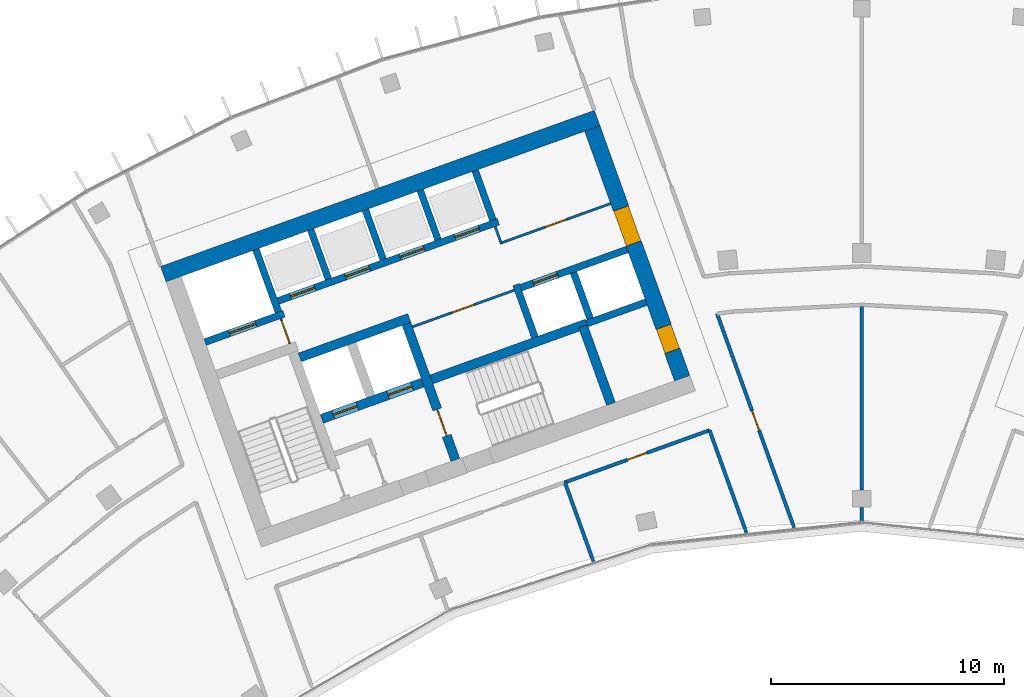
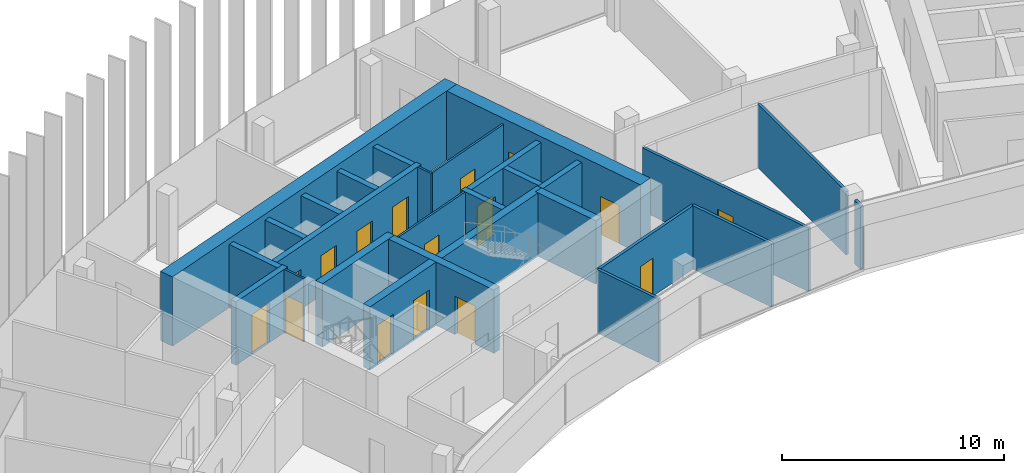
# One storey, part 14 of 19: 27 walls, 16 doors, 16 openings.
"""IFC4 building model written with IfcOpenShell, lengths in metres."""

from ifc_helpers import new_model, si_unit, direction, frame, frame_2d, origin, place, context, subcontext, project, spatial, rectangle, extrude, material, layer, layer_set, type_object, element, fill, save


model = new_model("IFC4")

# Units and contexts
model_context = context("Model", 3, precision=1e-05, world=origin(), true_north=direction((0.0, 1.0)))
body_context = subcontext(model_context, "Body", "Model", "MODEL_VIEW")
ifc_project = project(units=[si_unit("LENGTHUNIT", "METRE"), si_unit("AREAUNIT", "SQUARE_METRE"), si_unit("VOLUMEUNIT", "CUBIC_METRE"), si_unit("PLANEANGLEUNIT", "RADIAN"), si_unit("MASSUNIT", "GRAM", prefix="KILO")], contexts=[model_context])

# Site, building, storey
site_placement = place(None, origin())
site = spatial("IfcSite", under=ifc_project, at=site_placement, CompositionType="ELEMENT")
building_placement = place(site_placement, origin())
building = spatial("IfcBuilding", under=site, at=building_placement, Name="Stone Belt Terrace Tower", CompositionType="ELEMENT")
storey_placement = place(building_placement, frame((0.0, 0.0, 258.0)))
storey = spatial("IfcBuildingStorey", under=building, at=storey_placement, Name="L62", CompositionType="ELEMENT", Elevation=258.0)

# Wall, opening, door
ifc_material_1 = material(Name="Plasterboard partition")
ifc_layer_1 = layer(ifc_material_1, 0.10009765625)
ifc_layer_set_1 = layer_set([ifc_layer_1], Name="Core partition 100")
wall_type_1 = type_object("IfcWallType", Name="Core partition 100", PredefinedType="PARTITIONING", material=ifc_layer_set_1)
wall_1_placement = place(storey_placement, frame((-24.555908203125, 51.10400390625, 0.0), z_axis=(0.0, 0.0, 1.0), x_axis=(-0.338621735342, 0.94092258999, 0.0)))
wall_1 = element("IfcWall", 1, at=wall_1_placement, inside=storey, type_object=wall_type_1, Name="Core A wall", PredefinedType="PARTITIONING", context=body_context, shape_type="SweptSolid", body=[
    extrude(rectangle(XDim=1.14990234375, YDim=0.10009765625, at=frame_2d((0.574951171875, 0.0))), origin(), (0.0, 0.0, 1.0), 3.47998046875),
])
opening_1_placement = place(wall_1_placement, frame((0.050048828125, 0.0, 0.0)))
opening_1 = element("IfcOpeningElement", 2, at=opening_1_placement, cuts=wall_1, Name="Opening L62-C03", PredefinedType="OPENING", context=body_context, shape_type="SweptSolid", body=[
    extrude(rectangle(XDim=1.0, YDim=2.10009765625, at=frame_2d((0.5, 1.050048828125))), frame((0.0, 0.06005859375, 0.0), z_axis=(0.0, -1.0, 0.0), x_axis=(1.0, 0.0, 0.0)), (0.0, 0.0, 1.0), 0.1201171875),
])
ifc_material_2 = material(Name="Timber door leaf", Category="wood")
door_type_1 = type_object("IfcDoorType", Name="Core room door 1000", OperationType="SINGLE_SWING_LEFT", PredefinedType="DOOR", material=ifc_material_2)
door_1_placement = place(opening_1_placement, origin())
door_1 = element("IfcDoor", 3, at=door_1_placement, inside=storey, type_object=door_type_1, Name="Service lift lobby door core A", OperationType="SINGLE_SWING_LEFT", OverallHeight=2.10009765625, OverallWidth=1.0, PredefinedType="DOOR", context=body_context, shape_type="SweptSolid", body=[
    extrude(rectangle(XDim=1.0, YDim=2.10009765625, at=frame_2d((0.5, 1.050048828125))), frame((0.0, 0.02490234375, 0.0), z_axis=(0.0, -1.0, 0.0), x_axis=(1.0, 0.0, 0.0)), (0.0, 0.0, 1.0), 0.050048828125),
])
fill(opening_1, door_1)

wall_2_placement = place(storey_placement, frame((-19.29052734375, 51.829833984375, 0.0), z_axis=(0.0, 0.0, 1.0), x_axis=(0.940930240745, 0.338600475563, 0.0)))
wall_2 = element("IfcWall", 4, at=wall_2_placement, inside=storey, type_object=wall_type_1, Name="Core A wall", PredefinedType="PARTITIONING", context=body_context, shape_type="SweptSolid", body=[
    extrude(rectangle(XDim=4.64990234375, YDim=0.10009765625, at=frame_2d((2.324951171875, 0.0))), origin(), (0.0, 0.0, 1.0), 3.47998046875),
])
opening_2_placement = place(wall_2_placement, frame((1.800048828125, 0.0, 0.0)))
opening_2 = element("IfcOpeningElement", 5, at=opening_2_placement, cuts=wall_2, Name="Opening L62-C02", PredefinedType="OPENING", context=body_context, shape_type="SweptSolid", body=[
    extrude(rectangle(XDim=1.0, YDim=2.10009765625, at=frame_2d((0.5, 1.050048828125))), frame((0.0, 0.06005859375, 0.0), z_axis=(0.0, -1.0, 0.0), x_axis=(1.0, 0.0, 0.0)), (0.0, 0.0, 1.0), 0.1201171875),
])
door_2_placement = place(opening_2_placement, origin())
door_2 = element("IfcDoor", 6, at=door_2_placement, inside=storey, type_object=door_type_1, Name="Door to Pantry core A", OperationType="SINGLE_SWING_LEFT", OverallHeight=2.10009765625, OverallWidth=1.0, PredefinedType="DOOR", context=body_context, shape_type="SweptSolid", body=[
    extrude(rectangle(XDim=1.0, YDim=2.10009765625, at=frame_2d((0.5, 1.050048828125))), frame((0.0, 0.02490234375, 0.0), z_axis=(0.0, -1.0, 0.0), x_axis=(1.0, 0.0, 0.0)), (0.0, 0.0, 1.0), 0.050048828125),
])
fill(opening_2, door_2)

# Wall
wall_3_placement = place(storey_placement, frame((-15.46826171875, 55.384033203125, 0.0), z_axis=(0.0, 0.0, 1.0), x_axis=(-0.338481684961, 0.940972979923, 0.0)))
element("IfcWall", 7, at=wall_3_placement, inside=storey, type_object=wall_type_1, Name="Core A wall", PredefinedType="PARTITIONING", context=body_context, shape_type="SweptSolid", body=[
    extrude(rectangle(XDim=0.7998046875, YDim=0.10009765625, at=frame_2d((0.39990234375, 0.0))), origin(), (0.0, 0.0, 1.0), 3.47998046875),
])

# Wall, opening, door
wall_4_placement = place(storey_placement, frame((-15.43798828125, 55.447998046875, 0.0), z_axis=(0.0, 0.0, 1.0), x_axis=(0.940914445113, 0.338644366522, 0.0)))
wall_4 = element("IfcWall", 8, at=wall_4_placement, inside=storey, type_object=wall_type_1, Name="Core A wall", PredefinedType="PARTITIONING", context=body_context, shape_type="SweptSolid", body=[
    extrude(rectangle(XDim=4.949951171875, YDim=0.10009765625, at=frame_2d((2.47509765625, 0.0))), origin(), (0.0, 0.0, 1.0), 3.47998046875),
])
opening_3_placement = place(wall_4_placement, frame((1.949951171875, 0.0, 0.0)))
opening_3 = element("IfcOpeningElement", 9, at=opening_3_placement, cuts=wall_4, Name="Opening L62-C01", PredefinedType="OPENING", context=body_context, shape_type="SweptSolid", body=[
    extrude(rectangle(XDim=1.0, YDim=2.10009765625, at=frame_2d((0.5, 1.050048828125))), frame((0.0, 0.06005859375, 0.0), z_axis=(0.0, -1.0, 0.0), x_axis=(1.0, 0.0, 0.0)), (0.0, 0.0, 1.0), 0.1201171875),
])
door_3_placement = place(opening_3_placement, origin())
door_3 = element("IfcDoor", 10, at=door_3_placement, inside=storey, type_object=door_type_1, Name="Door to Print and copy room core A", OperationType="SINGLE_SWING_LEFT", OverallHeight=2.10009765625, OverallWidth=1.0, PredefinedType="DOOR", context=body_context, shape_type="SweptSolid", body=[
    extrude(rectangle(XDim=1.0, YDim=2.10009765625, at=frame_2d((0.5, 1.050048828125))), frame((0.0, 0.02490234375, 0.0), z_axis=(0.0, -1.0, 0.0), x_axis=(1.0, 0.0, 0.0)), (0.0, 0.0, 1.0), 0.050048828125),
])
fill(opening_3, door_3)

# Wall
ifc_material_3 = material(Name="Concrete B60", Category="concrete")
ifc_layer_2 = layer(ifc_material_3, 0.699951171875)
ifc_layer_set_2 = layer_set([ifc_layer_2], Name="Core wall 700 B60")
wall_type_2 = type_object("IfcWallType", Name="Core wall 700 B60", PredefinedType="SHEAR", material=ifc_layer_set_2)
wall_5_placement = place(storey_placement, frame((-29.988037109375, 54.0908203125, 0.0), z_axis=(0.0, 0.0, 1.0), x_axis=(0.940919787944, 0.33862952124, 0.0)))
element("IfcWall", 11, at=wall_5_placement, inside=storey, type_object=wall_type_2, Name="Core A wall convex L62", PredefinedType="SHEAR", context=body_context, shape_type="SweptSolid", body=[
    extrude(rectangle(XDim=19.7998046875, YDim=0.699951171875, at=frame_2d((9.89990234375, 0.0))), origin(), (0.0, 0.0, 1.0), 3.800048828125),
])

# Wall, openings, doors
wall_6_placement = place(storey_placement, frame((-7.70849609375, 49.621337890625, 0.0), z_axis=(0.0, 0.0, 1.0), x_axis=(-0.338606471282, 0.940928083121, 0.0)))
wall_6 = element("IfcWall", 12, at=wall_6_placement, inside=storey, type_object=wall_type_2, Name="Core A wall end_b L62", PredefinedType="SHEAR", context=body_context, shape_type="SweptSolid", body=[
    extrude(rectangle(XDim=11.39990234375, YDim=0.699951171875, at=frame_2d((5.699951171875, 0.0))), origin(), (0.0, 0.0, 1.0), 3.800048828125),
])
opening_4_placement = place(wall_6_placement, frame((6.14990234375, 0.0, 0.0)))
opening_4 = element("IfcOpeningElement", 13, at=opening_4_placement, cuts=wall_6, Name="Opening L62-C04", PredefinedType="OPENING", context=body_context, shape_type="SweptSolid", body=[
    extrude(rectangle(XDim=1.60009765625, YDim=2.10009765625, at=frame_2d((0.800048828125, 1.050048828125))), frame((0.0, 0.35986328125, 0.0), z_axis=(0.0, -1.0, 0.0), x_axis=(1.0, 0.0, 0.0)), (0.0, 0.0, 1.0), 0.719970703125),
])
opening_5_placement = place(wall_6_placement, frame((1.25, 0.0, 0.0)))
opening_5 = element("IfcOpeningElement", 14, at=opening_5_placement, cuts=wall_6, Name="Opening L62-C10", PredefinedType="OPENING", context=body_context, shape_type="SweptSolid", body=[
    extrude(rectangle(XDim=1.10009765625, YDim=2.10009765625, at=frame_2d((0.550048828125, 1.050048828125))), frame((0.0, 0.35986328125, 0.0), z_axis=(0.0, -1.0, 0.0), x_axis=(1.0, 0.0, 0.0)), (0.0, 0.0, 1.0), 0.719970703125),
])
door_type_2 = type_object("IfcDoorType", Name="Core room door 1100", OperationType="SINGLE_SWING_LEFT", PredefinedType="DOOR", material=ifc_material_2)
door_4_placement = place(opening_5_placement, origin())
door_4 = element("IfcDoor", 15, at=door_4_placement, inside=storey, type_object=door_type_2, Name="Door to Electrical riser room core A", OperationType="SINGLE_SWING_LEFT", OverallHeight=2.10009765625, OverallWidth=1.10009765625, PredefinedType="DOOR", context=body_context, shape_type="SweptSolid", body=[
    extrude(rectangle(XDim=1.10009765625, YDim=2.10009765625, at=frame_2d((0.550048828125, 1.050048828125))), frame((0.0, 0.330078125, 0.0), z_axis=(0.0, -1.0, 0.0), x_axis=(1.0, 0.0, 0.0)), (0.0, 0.0, 1.0), 0.659912109375),
])
fill(opening_5, door_4)
ifc_material_4 = material(Name="Glazed aluminium door leaf", Category="aluminium")
door_type_3 = type_object("IfcDoorType", Name="Lift lobby entrance door 1600", OperationType="DOUBLE_DOOR_SINGLE_SWING", PredefinedType="DOOR", material=ifc_material_4)
door_5_placement = place(opening_4_placement, origin())
door_5 = element("IfcDoor", 16, at=door_5_placement, inside=storey, type_object=door_type_3, Name="Lift lobby entrance door core A", OperationType="DOUBLE_DOOR_SINGLE_SWING", OverallHeight=2.10009765625, OverallWidth=1.60009765625, PredefinedType="DOOR", context=body_context, shape_type="SweptSolid", body=[
    extrude(rectangle(XDim=1.60009765625, YDim=2.10009765625, at=frame_2d((0.800048828125, 1.050048828125))), frame((0.0, 0.330078125, 0.0), z_axis=(0.0, -1.0, 0.0), x_axis=(1.0, 0.0, 0.0)), (0.0, 0.0, 1.0), 0.659912109375),
])
fill(opening_4, door_5)

# Wall
ifc_material_5 = material(Name="Concrete B80", Category="concrete")
ifc_layer_3 = layer(ifc_material_5, 0.39990234375)
ifc_layer_set_3 = layer_set([ifc_layer_3], Name="Fire-fighting lift shaft wall 400")
wall_type_3 = type_object("IfcWallType", Name="Fire-fighting lift shaft wall 400", PredefinedType="SHEAR", material=ifc_layer_set_3)
wall_7_placement = place(storey_placement, frame((-24.130615234375, 50.512939453125, 0.0), z_axis=(0.0, 0.0, 1.0), x_axis=(0.94091168377, 0.338652038744, 0.0)))
element("IfcWall", 17, at=wall_7_placement, inside=storey, type_object=wall_type_3, Name="Core A wall", PredefinedType="SHEAR", context=body_context, shape_type="SweptSolid", body=[
    extrude(rectangle(XDim=5.000244140625, YDim=0.39990234375, at=frame_2d((2.5, 0.0))), origin(), (0.0, 0.0, 1.0), 3.47998046875),
])

# Wall, opening, door
ifc_layer_4 = layer(ifc_material_5, 0.300048828125)
ifc_layer_set_4 = layer_set([ifc_layer_4], Name="Lift shaft wall 300")
wall_type_4 = type_object("IfcWallType", Name="Lift shaft wall 300", PredefinedType="SHEAR", material=ifc_layer_set_4)
wall_8_placement = place(storey_placement, frame((-28.195068359375, 51.17578125, 0.0), z_axis=(0.0, 0.0, 1.0), x_axis=(0.940901243567, 0.338681044427, 0.0)))
wall_8 = element("IfcWall", 18, at=wall_8_placement, inside=storey, type_object=wall_type_4, Name="Core A wall", PredefinedType="SHEAR", context=body_context, shape_type="SweptSolid", body=[
    extrude(rectangle(XDim=3.599853515625, YDim=0.300048828125, at=frame_2d((1.7998046875, 0.0))), origin(), (0.0, 0.0, 1.0), 3.47998046875),
])
opening_6_placement = place(wall_8_placement, frame((1.1201171875, 0.0, 0.0)))
opening_6 = element("IfcOpeningElement", 19, at=opening_6_placement, cuts=wall_8, Name="Opening L62-LD08", PredefinedType="OPENING", context=body_context, shape_type="SweptSolid", body=[
    extrude(rectangle(XDim=1.199951171875, YDim=2.199951171875, at=frame_2d((0.60009765625, 1.10009765625))), frame((0.0, 0.159912109375, 0.0), z_axis=(0.0, -1.0, 0.0), x_axis=(1.0, 0.0, 0.0)), (0.0, 0.0, 1.0), 0.320068359375),
])
ifc_material_6 = material(Name="Stainless steel door leaf", Category="steel")
door_type_4 = type_object("IfcDoorType", Name="Landing door 1200", OperationType="SLIDING_TO_LEFT", PredefinedType="DOOR", material=ifc_material_6)
door_6_placement = place(opening_6_placement, origin())
door_6 = element("IfcDoor", 20, at=door_6_placement, inside=storey, type_object=door_type_4, Name="Landing door SV1 core A", OperationType="SLIDING_TO_LEFT", OverallHeight=2.199951171875, OverallWidth=1.199951171875, PredefinedType="DOOR", context=body_context, shape_type="SweptSolid", body=[
    extrude(rectangle(XDim=1.199951171875, YDim=2.199951171875, at=frame_2d((0.60009765625, 1.10009765625))), frame((0.0, 0.02490234375, 0.0), z_axis=(0.0, -1.0, 0.0), x_axis=(1.0, 0.0, 0.0)), (0.0, 0.0, 1.0), 0.050048828125),
])
fill(opening_6, door_6)

# Wall
wall_9_placement = place(storey_placement, frame((-25.046875, 52.46826171875, 0.0), z_axis=(0.0, 0.0, 1.0), x_axis=(-0.338549588058, 0.940948551423, 0.0)))
element("IfcWall", 21, at=wall_9_placement, inside=storey, type_object=wall_type_4, Name="Core A wall", PredefinedType="SHEAR", context=body_context, shape_type="SweptSolid", body=[
    extrude(rectangle(XDim=2.849853515625, YDim=0.300048828125, at=frame_2d((1.4248046875, 0.0))), origin(), (0.0, 0.0, 1.0), 3.47998046875),
])

# Wall, openings, doors
wall_10_placement = place(storey_placement, frame((-25.05810546875, 52.9423828125, 0.0), z_axis=(0.0, 0.0, 1.0), x_axis=(0.940917446785, 0.338636026339, 0.0)))
wall_10 = element("IfcWall", 22, at=wall_10_placement, inside=storey, type_object=wall_type_4, Name="Core A wall", PredefinedType="SHEAR", context=body_context, shape_type="SweptSolid", body=[
    extrude(rectangle(XDim=10.050048828125, YDim=0.300048828125, at=frame_2d((5.02490234375, 0.0))), origin(), (0.0, 0.0, 1.0), 3.47998046875),
])
opening_7_placement = place(wall_10_placement, frame((0.570068359375, 0.0, 0.0)))
opening_7 = element("IfcOpeningElement", 23, at=opening_7_placement, cuts=wall_10, Name="Opening L62-LD01", PredefinedType="OPENING", context=body_context, shape_type="SweptSolid", body=[
    extrude(rectangle(XDim=1.10009765625, YDim=2.199951171875, at=frame_2d((0.550048828125, 1.10009765625))), frame((0.0, 0.159912109375, 0.0), z_axis=(0.0, -1.0, 0.0), x_axis=(1.0, 0.0, 0.0)), (0.0, 0.0, 1.0), 0.320068359375),
])
opening_8_placement = place(wall_10_placement, frame((3.070068359375, 0.0, 0.0)))
opening_8 = element("IfcOpeningElement", 24, at=opening_8_placement, cuts=wall_10, Name="Opening L62-LD02", PredefinedType="OPENING", context=body_context, shape_type="SweptSolid", body=[
    extrude(rectangle(XDim=1.10009765625, YDim=2.199951171875, at=frame_2d((0.550048828125, 1.10009765625))), frame((0.0, 0.159912109375, 0.0), z_axis=(0.0, -1.0, 0.0), x_axis=(1.0, 0.0, 0.0)), (0.0, 0.0, 1.0), 0.320068359375),
])
opening_9_placement = place(wall_10_placement, frame((5.570068359375, 0.0, 0.0)))
opening_9 = element("IfcOpeningElement", 25, at=opening_9_placement, cuts=wall_10, Name="Opening L62-LD03", PredefinedType="OPENING", context=body_context, shape_type="SweptSolid", body=[
    extrude(rectangle(XDim=1.10009765625, YDim=2.199951171875, at=frame_2d((0.550048828125, 1.10009765625))), frame((0.0, 0.159912109375, 0.0), z_axis=(0.0, -1.0, 0.0), x_axis=(1.0, 0.0, 0.0)), (0.0, 0.0, 1.0), 0.320068359375),
])
opening_10_placement = place(wall_10_placement, frame((8.070068359375, 0.0, 0.0)))
opening_10 = element("IfcOpeningElement", 26, at=opening_10_placement, cuts=wall_10, Name="Opening L62-LD04", PredefinedType="OPENING", context=body_context, shape_type="SweptSolid", body=[
    extrude(rectangle(XDim=1.10009765625, YDim=2.199951171875, at=frame_2d((0.550048828125, 1.10009765625))), frame((0.0, 0.159912109375, 0.0), z_axis=(0.0, -1.0, 0.0), x_axis=(1.0, 0.0, 0.0)), (0.0, 0.0, 1.0), 0.320068359375),
])
door_type_5 = type_object("IfcDoorType", Name="Landing door 1100", OperationType="SLIDING_TO_LEFT", PredefinedType="DOOR", material=ifc_material_6)
door_7_placement = place(opening_7_placement, origin())
door_7 = element("IfcDoor", 27, at=door_7_placement, inside=storey, type_object=door_type_5, Name="Landing door HR1 core A", OperationType="SLIDING_TO_LEFT", OverallHeight=2.199951171875, OverallWidth=1.10009765625, PredefinedType="DOOR", context=body_context, shape_type="SweptSolid", body=[
    extrude(rectangle(XDim=1.10009765625, YDim=2.199951171875, at=frame_2d((0.550048828125, 1.10009765625))), frame((0.0, 0.02490234375, 0.0), z_axis=(0.0, -1.0, 0.0), x_axis=(1.0, 0.0, 0.0)), (0.0, 0.0, 1.0), 0.050048828125),
])
fill(opening_7, door_7)
door_8_placement = place(opening_8_placement, origin())
door_8 = element("IfcDoor", 28, at=door_8_placement, inside=storey, type_object=door_type_5, Name="Landing door HR2 core A", OperationType="SLIDING_TO_LEFT", OverallHeight=2.199951171875, OverallWidth=1.10009765625, PredefinedType="DOOR", context=body_context, shape_type="SweptSolid", body=[
    extrude(rectangle(XDim=1.10009765625, YDim=2.199951171875, at=frame_2d((0.550048828125, 1.10009765625))), frame((0.0, 0.02490234375, 0.0), z_axis=(0.0, -1.0, 0.0), x_axis=(1.0, 0.0, 0.0)), (0.0, 0.0, 1.0), 0.050048828125),
])
fill(opening_8, door_8)
door_9_placement = place(opening_9_placement, origin())
door_9 = element("IfcDoor", 29, at=door_9_placement, inside=storey, type_object=door_type_5, Name="Landing door HR3 core A", OperationType="SLIDING_TO_LEFT", OverallHeight=2.199951171875, OverallWidth=1.10009765625, PredefinedType="DOOR", context=body_context, shape_type="SweptSolid", body=[
    extrude(rectangle(XDim=1.10009765625, YDim=2.199951171875, at=frame_2d((0.550048828125, 1.10009765625))), frame((0.0, 0.02490234375, 0.0), z_axis=(0.0, -1.0, 0.0), x_axis=(1.0, 0.0, 0.0)), (0.0, 0.0, 1.0), 0.050048828125),
])
fill(opening_9, door_9)
door_10_placement = place(opening_10_placement, origin())
door_10 = element("IfcDoor", 30, at=door_10_placement, inside=storey, type_object=door_type_5, Name="Landing door HR4 core A", OperationType="SLIDING_TO_LEFT", OverallHeight=2.199951171875, OverallWidth=1.10009765625, PredefinedType="DOOR", context=body_context, shape_type="SweptSolid", body=[
    extrude(rectangle(XDim=1.10009765625, YDim=2.199951171875, at=frame_2d((0.550048828125, 1.10009765625))), frame((0.0, 0.02490234375, 0.0), z_axis=(0.0, -1.0, 0.0), x_axis=(1.0, 0.0, 0.0)), (0.0, 0.0, 1.0), 0.050048828125),
])
fill(opening_10, door_10)

# Walls
wall_11_placement = place(storey_placement, frame((-22.897705078125, 53.87939453125, 0.0), z_axis=(0.0, 0.0, 1.0), x_axis=(-0.338535034312, 0.940953787677, 0.0)))
element("IfcWall", 31, at=wall_11_placement, inside=storey, type_object=wall_type_4, Name="Core A wall", PredefinedType="SHEAR", context=body_context, shape_type="SweptSolid", body=[
    extrude(rectangle(XDim=2.25, YDim=0.300048828125, at=frame_2d((1.125, 0.0))), origin(), (0.0, 0.0, 1.0), 3.47998046875),
])
wall_12_placement = place(storey_placement, frame((-20.54541015625, 54.72607421875, 0.0), z_axis=(0.0, 0.0, 1.0), x_axis=(-0.338569601369, 0.940941350472, 0.0)))
element("IfcWall", 32, at=wall_12_placement, inside=storey, type_object=wall_type_4, Name="Core A wall", PredefinedType="SHEAR", context=body_context, shape_type="SweptSolid", body=[
    extrude(rectangle(XDim=2.249755859375, YDim=0.300048828125, at=frame_2d((1.125, 0.0))), origin(), (0.0, 0.0, 1.0), 3.47998046875),
])
wall_13_placement = place(storey_placement, frame((-18.193115234375, 55.572509765625, 0.0), z_axis=(0.0, 0.0, 1.0), x_axis=(-0.338535034312, 0.940953787677, 0.0)))
element("IfcWall", 33, at=wall_13_placement, inside=storey, type_object=wall_type_4, Name="Core A wall", PredefinedType="SHEAR", context=body_context, shape_type="SweptSolid", body=[
    extrude(rectangle(XDim=2.25, YDim=0.300048828125, at=frame_2d((1.125, 0.0))), origin(), (0.0, 0.0, 1.0), 3.47998046875),
])
wall_14_placement = place(storey_placement, frame((-14.029052734375, 51.38525390625, 0.0), z_axis=(0.0, 0.0, 1.0), x_axis=(-0.338661829791, 0.940908159728, 0.0)))
element("IfcWall", 34, at=wall_14_placement, inside=storey, type_object=wall_type_4, Name="Core A wall", PredefinedType="SHEAR", context=body_context, shape_type="SweptSolid", body=[
    extrude(rectangle(XDim=2.39990234375, YDim=0.300048828125, at=frame_2d((1.199951171875, 0.0))), origin(), (0.0, 0.0, 1.0), 3.47998046875),
])

# Wall, opening, door
wall_15_placement = place(storey_placement, frame((-14.6328125, 53.506103515625, 0.0), z_axis=(0.0, 0.0, 1.0), x_axis=(0.940931684323, 0.338596464007, 0.0)))
wall_15 = element("IfcWall", 35, at=wall_15_placement, inside=storey, type_object=wall_type_4, Name="Core A wall", PredefinedType="SHEAR", context=body_context, shape_type="SweptSolid", body=[
    extrude(rectangle(XDim=4.849609375, YDim=0.300048828125, at=frame_2d((2.4248046875, 0.0))), origin(), (0.0, 0.0, 1.0), 3.47998046875),
])
opening_11_placement = place(wall_15_placement, frame((0.570068359375, 0.0, 0.0)))
opening_11 = element("IfcOpeningElement", 36, at=opening_11_placement, cuts=wall_15, Name="Opening L62-LD07", PredefinedType="OPENING", context=body_context, shape_type="SweptSolid", body=[
    extrude(rectangle(XDim=1.10009765625, YDim=2.199951171875, at=frame_2d((0.550048828125, 1.10009765625))), frame((0.0, 0.159912109375, 0.0), z_axis=(0.0, -1.0, 0.0), x_axis=(1.0, 0.0, 0.0)), (0.0, 0.0, 1.0), 0.320068359375),
])
door_11_placement = place(opening_11_placement, origin())
door_11 = element("IfcDoor", 37, at=door_11_placement, inside=storey, type_object=door_type_5, Name="Landing door SH1 core A", OperationType="SLIDING_TO_LEFT", OverallHeight=2.199951171875, OverallWidth=1.10009765625, PredefinedType="DOOR", context=body_context, shape_type="SweptSolid", body=[
    extrude(rectangle(XDim=1.10009765625, YDim=2.199951171875, at=frame_2d((0.550048828125, 1.10009765625))), frame((0.0, 0.02490234375, 0.0), z_axis=(0.0, -1.0, 0.0), x_axis=(1.0, 0.0, 0.0)), (0.0, 0.0, 1.0), 0.050048828125),
])
fill(opening_11, door_11)

# Walls
wall_16_placement = place(storey_placement, frame((-15.8408203125, 56.419189453125, 0.0), z_axis=(0.0, 0.0, 1.0), x_axis=(-0.338569601369, 0.940941350472, 0.0)))
element("IfcWall", 38, at=wall_16_placement, inside=storey, type_object=wall_type_4, Name="Core A wall", PredefinedType="SHEAR", context=body_context, shape_type="SweptSolid", body=[
    extrude(rectangle(XDim=2.249755859375, YDim=0.300048828125, at=frame_2d((1.125, 0.0))), origin(), (0.0, 0.0, 1.0), 3.47998046875),
])
wall_17_placement = place(storey_placement, frame((-11.797119140625, 51.975830078125, 0.0), z_axis=(0.0, 0.0, 1.0), x_axis=(0.940910465161, 0.33865542451, 0.0)))
element("IfcWall", 39, at=wall_17_placement, inside=storey, type_object=wall_type_4, Name="Core A wall", PredefinedType="SHEAR", context=body_context, shape_type="SweptSolid", body=[
    extrude(rectangle(XDim=2.69970703125, YDim=0.300048828125, at=frame_2d((1.349853515625, 0.0))), origin(), (0.0, 0.0, 1.0), 3.47998046875),
])
wall_18_placement = place(storey_placement, frame((-11.659912109375, 52.184814453125, 0.0), z_axis=(0.0, 0.0, 1.0), x_axis=(-0.338670064856, 0.940905195634, 0.0)))
element("IfcWall", 40, at=wall_18_placement, inside=storey, type_object=wall_type_4, Name="Core A wall", PredefinedType="SHEAR", context=body_context, shape_type="SweptSolid", body=[
    extrude(rectangle(XDim=2.099853515625, YDim=0.300048828125, at=frame_2d((1.0498046875, 0.0))), origin(), (0.0, 0.0, 1.0), 3.47998046875),
])
ifc_material_7 = material(Name="Gypsum board partition")
ifc_layer_5 = layer(ifc_material_7, 0.14990234375)
ifc_layer_set_5 = layer_set([ifc_layer_5], Name="PARTITION 150 EI 60")
wall_type_5 = type_object("IfcWallType", Name="PARTITION 150 EI 60", PredefinedType="PARTITIONING", material=ifc_layer_set_5)
wall_19_placement = place(storey_placement, frame((-4.946044921875, 42.980224609375, 0.0), z_axis=(0.0, 0.0, 1.0), x_axis=(-0.338699196287, 0.940894709537, 0.0)))
element("IfcWall", 41, at=wall_19_placement, inside=storey, type_object=wall_type_5, Name="L62/wall/i009", PredefinedType="PARTITIONING", context=body_context, shape_type="SweptSolid", body=[
    extrude(rectangle(XDim=4.691162109375, YDim=0.14990234375, at=frame_2d((2.345703125, 0.0))), origin(), (0.0, 0.0, 1.0), 3.47998046875),
])

# Wall, opening, door
wall_20_placement = place(storey_placement, frame((-6.2109375, 52.39990234375, 0.0), z_axis=(0.0, 0.0, 1.0), x_axis=(0.338711514657, -0.940890275132, 0.0)))
wall_20 = element("IfcWall", 42, at=wall_20_placement, inside=storey, type_object=wall_type_5, Name="L62/wall/i011", PredefinedType="PARTITIONING", context=body_context, shape_type="SweptSolid", body=[
    extrude(rectangle(XDim=9.782470703125, YDim=0.14990234375, at=frame_2d((4.89111328125, 0.0))), origin(), (0.0, 0.0, 1.0), 3.47998046875),
])
opening_12_placement = place(wall_20_placement, frame((4.44140625, 0.0, 0.0)))
opening_12 = element("IfcOpeningElement", 43, at=opening_12_placement, cuts=wall_20, Name="Opening D-SK2-22", PredefinedType="OPENING", context=body_context, shape_type="SweptSolid", body=[
    extrude(rectangle(XDim=0.89990234375, YDim=2.10009765625, at=frame_2d((0.449951171875, 1.050048828125))), frame((0.0, 0.0849609375, 0.0), z_axis=(0.0, -1.0, 0.0), x_axis=(1.0, 0.0, 0.0)), (0.0, 0.0, 1.0), 0.169921875),
])
door_type_6 = type_object("IfcDoorType", Name="OFFICE DOOR 900 X 2100", OperationType="NOTDEFINED", PredefinedType="DOOR", material=ifc_material_2)
door_12_placement = place(opening_12_placement, origin())
door_12 = element("IfcDoor", 44, at=door_12_placement, inside=storey, type_object=door_type_6, Name="L62/door/i22", OperationType="SINGLE_SWING_RIGHT", OverallHeight=2.10009765625, OverallWidth=0.89990234375, PredefinedType="DOOR", context=body_context, shape_type="SweptSolid", body=[
    extrude(rectangle(XDim=0.89990234375, YDim=2.10009765625, at=frame_2d((0.449951171875, 1.050048828125))), frame((0.0, 0.02490234375, 0.0), z_axis=(0.0, -1.0, 0.0), x_axis=(1.0, 0.0, 0.0)), (0.0, 0.0, 1.0), 0.050048828125),
])
fill(opening_12, door_12)

wall_21_placement = place(storey_placement, frame((-6.532958984375, 47.387939453125, 0.0), z_axis=(0.0, 0.0, 1.0), x_axis=(-0.940922268526, -0.338622628589, 0.0)))
wall_21 = element("IfcWall", 45, at=wall_21_placement, inside=storey, type_object=wall_type_5, Name="L62/wall/i016", PredefinedType="PARTITIONING", context=body_context, shape_type="SweptSolid", body=[
    extrude(rectangle(XDim=6.6064453125, YDim=0.14990234375, at=frame_2d((3.30322265625, 0.0))), origin(), (0.0, 0.0, 1.0), 3.47998046875),
])
opening_13_placement = place(wall_21_placement, frame((2.85302734375, 0.0, 0.0)))
opening_13 = element("IfcOpeningElement", 46, at=opening_13_placement, cuts=wall_21, Name="Opening D-SK2-03", PredefinedType="OPENING", context=body_context, shape_type="SweptSolid", body=[
    extrude(rectangle(XDim=0.89990234375, YDim=2.10009765625, at=frame_2d((0.449951171875, 1.050048828125))), frame((0.0, 0.0849609375, 0.0), z_axis=(0.0, -1.0, 0.0), x_axis=(1.0, 0.0, 0.0)), (0.0, 0.0, 1.0), 0.169921875),
])
door_13_placement = place(opening_13_placement, origin())
door_13 = element("IfcDoor", 47, at=door_13_placement, inside=storey, type_object=door_type_6, Name="L62/door/i03", OperationType="SINGLE_SWING_RIGHT", OverallHeight=2.10009765625, OverallWidth=0.89990234375, PredefinedType="DOOR", context=body_context, shape_type="SweptSolid", body=[
    extrude(rectangle(XDim=0.89990234375, YDim=2.10009765625, at=frame_2d((0.449951171875, 1.050048828125))), frame((0.0, 0.02490234375, 0.0), z_axis=(0.0, -1.0, 0.0), x_axis=(1.0, 0.0, 0.0)), (0.0, 0.0, 1.0), 0.050048828125),
])
fill(opening_13, door_13)

# Walls
wall_22_placement = place(storey_placement, frame((-12.742919921875, 45.153076171875, 0.0), z_axis=(0.0, 0.0, 1.0), x_axis=(0.338612024212, -0.940926084801, 0.0)))
element("IfcWall", 48, at=wall_22_placement, inside=storey, type_object=wall_type_5, Name="L62/wall/i019", PredefinedType="PARTITIONING", context=body_context, shape_type="SweptSolid", body=[
    extrude(rectangle(XDim=3.620849609375, YDim=0.14990234375, at=frame_2d((1.810546875, 0.0))), origin(), (0.0, 0.0, 1.0), 3.47998046875),
])
wall_23_placement = place(storey_placement, frame((0.0, 52.77490234375, 0.0), z_axis=(0.0, 0.0, 1.0), x_axis=(0.0, -1.0, 0.0)))
element("IfcWall", 49, at=wall_23_placement, inside=storey, type_object=wall_type_5, Name="L62/wall/i074", PredefinedType="PARTITIONING", context=body_context, shape_type="SweptSolid", body=[
    extrude(rectangle(XDim=7.949951171875, YDim=0.14990234375, at=frame_2d((3.97509765625, 0.0))), origin(), (0.0, 0.0, 1.0), 3.47998046875),
])
wall_24_placement = place(storey_placement, frame((0.0, 44.06494140625, 0.0), z_axis=(0.0, 0.0, 1.0), x_axis=(0.0, -1.0, 0.0)))
element("IfcWall", 50, at=wall_24_placement, inside=storey, type_object=wall_type_5, Name="L62/wall/i075", PredefinedType="PARTITIONING", context=body_context, shape_type="SweptSolid", body=[
    extrude(rectangle(XDim=0.56494140625, YDim=0.14990234375, at=frame_2d((0.282470703125, 0.0))), origin(), (0.0, 0.0, 1.0), 3.47998046875),
])

# Wall, openings, doors
ifc_layer_6 = layer(ifc_material_5, 0.39990234375)
ifc_layer_set_6 = layer_set([ifc_layer_6], Name="Stair enclosure wall 400")
wall_type_6 = type_object("IfcWallType", Name="Stair enclosure wall 400", PredefinedType="SHEAR", material=ifc_layer_set_6)
wall_25_placement = place(storey_placement, frame((-23.182373046875, 47.87841796875, 0.0), z_axis=(0.0, 0.0, 1.0), x_axis=(0.940921101762, 0.338625870628, 0.0)))
wall_25 = element("IfcWall", 51, at=wall_25_placement, inside=storey, type_object=wall_type_6, Name="Core A wall", PredefinedType="SHEAR", context=body_context, shape_type="SweptSolid", body=[
    extrude(rectangle(XDim=12.10009765625, YDim=0.39990234375, at=frame_2d((6.050048828125, 0.0))), origin(), (0.0, 0.0, 1.0), 3.47998046875),
])
opening_14_placement = place(wall_25_placement, frame((0.52001953125, 0.0, 0.0)))
opening_14 = element("IfcOpeningElement", 52, at=opening_14_placement, cuts=wall_25, Name="Opening L62-LD05", PredefinedType="OPENING", context=body_context, shape_type="SweptSolid", body=[
    extrude(rectangle(XDim=1.10009765625, YDim=2.199951171875, at=frame_2d((0.550048828125, 1.10009765625))), frame((0.0, 0.2099609375, 0.0), z_axis=(0.0, -1.0, 0.0), x_axis=(1.0, 0.0, 0.0)), (0.0, 0.0, 1.0), 0.419921875),
])
opening_15_placement = place(wall_25_placement, frame((3.02001953125, 0.0, 0.0)))
opening_15 = element("IfcOpeningElement", 53, at=opening_15_placement, cuts=wall_25, Name="Opening L62-LD06", PredefinedType="OPENING", context=body_context, shape_type="SweptSolid", body=[
    extrude(rectangle(XDim=1.10009765625, YDim=2.199951171875, at=frame_2d((0.550048828125, 1.10009765625))), frame((0.0, 0.2099609375, 0.0), z_axis=(0.0, -1.0, 0.0), x_axis=(1.0, 0.0, 0.0)), (0.0, 0.0, 1.0), 0.419921875),
])
door_14_placement = place(opening_14_placement, origin())
door_14 = element("IfcDoor", 54, at=door_14_placement, inside=storey, type_object=door_type_5, Name="Landing door FF1 core A", OperationType="SLIDING_TO_LEFT", OverallHeight=2.199951171875, OverallWidth=1.10009765625, PredefinedType="DOOR", context=body_context, shape_type="SweptSolid", body=[
    extrude(rectangle(XDim=1.10009765625, YDim=2.199951171875, at=frame_2d((0.550048828125, 1.10009765625))), frame((0.0, 0.02490234375, 0.0), z_axis=(0.0, -1.0, 0.0), x_axis=(1.0, 0.0, 0.0)), (0.0, 0.0, 1.0), 0.050048828125),
])
fill(opening_14, door_14)
door_15_placement = place(opening_15_placement, origin())
door_15 = element("IfcDoor", 55, at=door_15_placement, inside=storey, type_object=door_type_5, Name="Landing door FF2 core A", OperationType="SLIDING_TO_LEFT", OverallHeight=2.199951171875, OverallWidth=1.10009765625, PredefinedType="DOOR", context=body_context, shape_type="SweptSolid", body=[
    extrude(rectangle(XDim=1.10009765625, YDim=2.199951171875, at=frame_2d((0.550048828125, 1.10009765625))), frame((0.0, 0.02490234375, 0.0), z_axis=(0.0, -1.0, 0.0), x_axis=(1.0, 0.0, 0.0)), (0.0, 0.0, 1.0), 0.050048828125),
])
fill(opening_15, door_15)

# Wall, opening, door
wall_26_placement = place(storey_placement, frame((-17.447021484375, 46.116455078125, 0.0), z_axis=(0.0, 0.0, 1.0), x_axis=(-0.33860791464, 0.940927563707, 0.0)))
wall_26 = element("IfcWall", 56, at=wall_26_placement, inside=storey, type_object=wall_type_6, Name="Core A wall", PredefinedType="SHEAR", context=body_context, shape_type="SweptSolid", body=[
    extrude(rectangle(XDim=6.199951171875, YDim=0.39990234375, at=frame_2d((3.10009765625, 0.0))), origin(), (0.0, 0.0, 1.0), 3.47998046875),
])
opening_16_placement = place(wall_26_placement, frame((1.10009765625, 0.0, 0.0)))
opening_16 = element("IfcOpeningElement", 57, at=opening_16_placement, cuts=wall_26, Name="Opening L62-C08", PredefinedType="OPENING", context=body_context, shape_type="SweptSolid", body=[
    extrude(rectangle(XDim=1.199951171875, YDim=2.10009765625, at=frame_2d((0.60009765625, 1.050048828125))), frame((0.0, 0.2099609375, 0.0), z_axis=(0.0, -1.0, 0.0), x_axis=(1.0, 0.0, 0.0)), (0.0, 0.0, 1.0), 0.419921875),
])
ifc_material_8 = material(Name="Steel door leaf", Category="steel")
door_type_7 = type_object("IfcDoorType", Name="Stair door 1200", OperationType="SINGLE_SWING_LEFT", PredefinedType="DOOR", material=ifc_material_8)
door_16_placement = place(opening_16_placement, origin())
door_16 = element("IfcDoor", 58, at=door_16_placement, inside=storey, type_object=door_type_7, Name="Stair 2 door core A", OperationType="SINGLE_SWING_LEFT", OverallHeight=2.10009765625, OverallWidth=1.199951171875, PredefinedType="DOOR", context=body_context, shape_type="SweptSolid", body=[
    extrude(rectangle(XDim=1.199951171875, YDim=2.10009765625, at=frame_2d((0.60009765625, 1.050048828125))), frame((0.0, 0.02490234375, 0.0), z_axis=(0.0, -1.0, 0.0), x_axis=(1.0, 0.0, 0.0)), (0.0, 0.0, 1.0), 0.050048828125),
])
fill(opening_16, door_16)

# Wall
wall_27_placement = place(storey_placement, frame((-10.766357421875, 48.520751953125, 0.0), z_axis=(0.0, 0.0, 1.0), x_axis=(-0.338626928157, 0.94092072117, 0.0)))
element("IfcWall", 59, at=wall_27_placement, inside=storey, type_object=wall_type_6, Name="Core A wall", PredefinedType="SHEAR", context=body_context, shape_type="SweptSolid", body=[
    extrude(rectangle(XDim=3.550048828125, YDim=0.39990234375, at=frame_2d((1.77490234375, 0.0))), origin(), (0.0, 0.0, 1.0), 3.47998046875),
])

save(model, "model.ifc")
